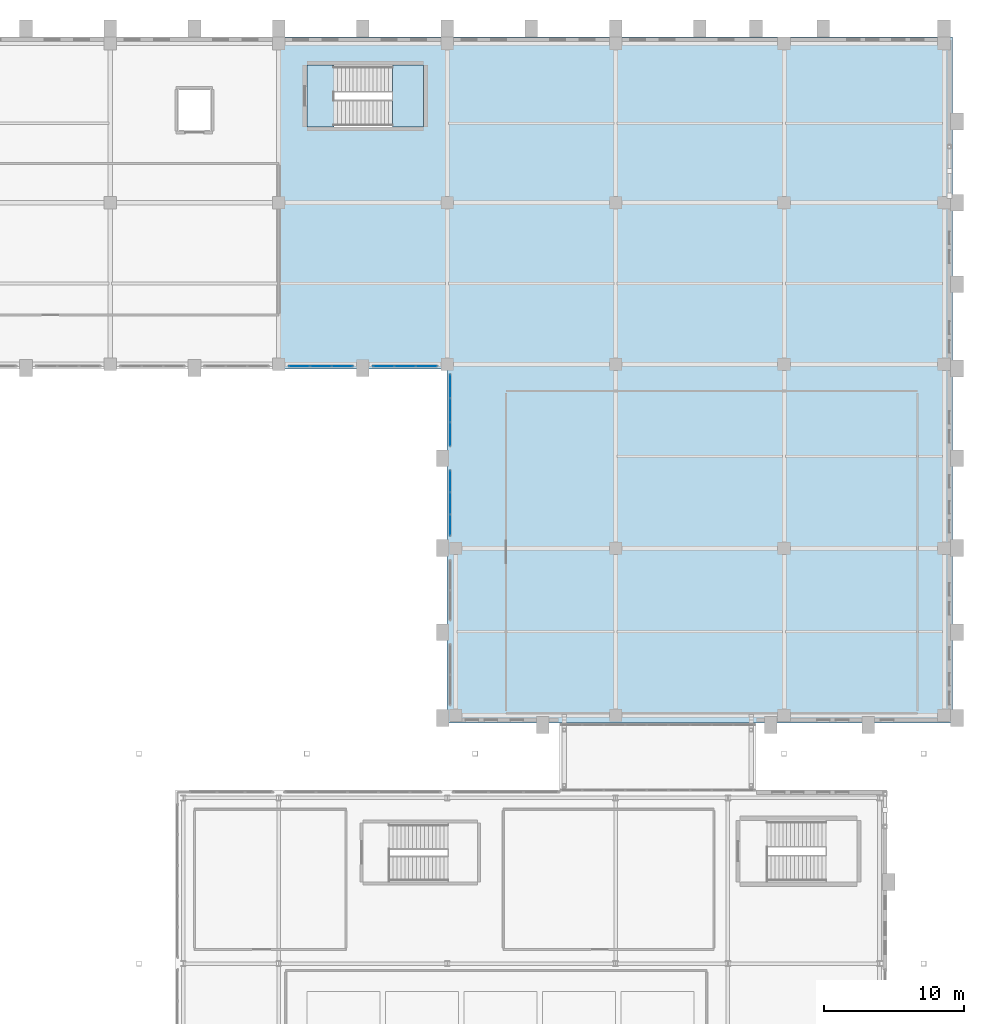
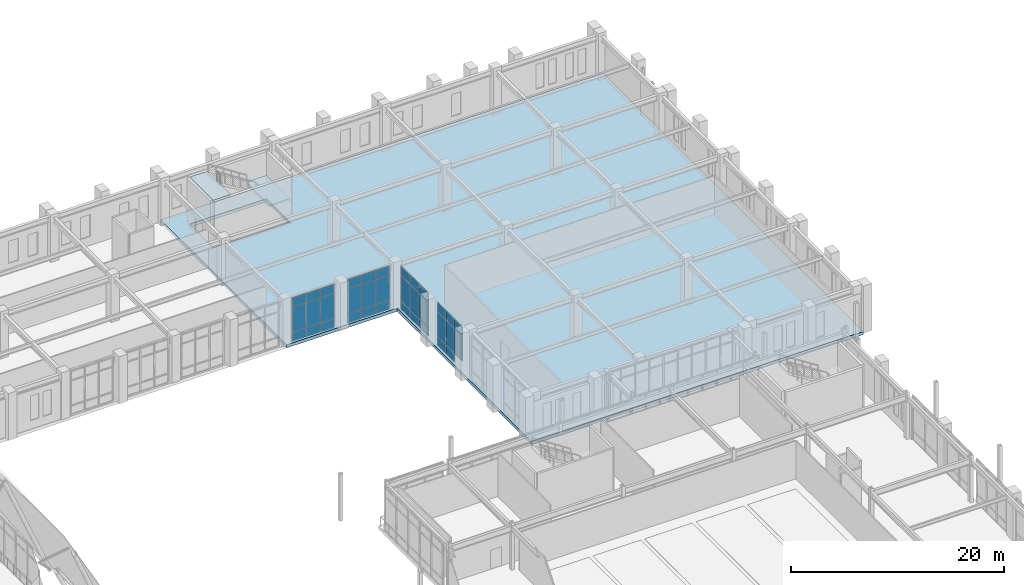
# One storey, part 118 of 159: 35 plates, 3 slabs, 5 elements without a shape of their own.
"""IFC4 building model written with IfcOpenShell, lengths in metres."""

import ifcopenshell
import ifcopenshell.guid

model = None  # the IFC model being written
_history = None  # IfcOwnerHistory: only IFC2X3 demands one
_inside = {}  # id of a spatial element -> (the spatial element, [elements in it])
_under = {}  # id of a project, library or spatial element -> (it, [spatial elements below it])
_declared = {}  # id of a project -> (the project, [libraries it declares])
_typed = {}  # id of a type object -> (the type object, [elements of that type])
_made_of = {}  # id of a material, layer set ... -> (it, [elements and type objects made of it])


def new_model(schema):
    """Start an empty IFC model of exactly this schema.

    Asked for "IFC4X3", IfcOpenShell would pick the latest addendum, in which some entities
    have other attributes; the version numbers below select the first issue.
    IFC2X3 requires an IfcOwnerHistory on every rooted entity: one is made here for all.
    """
    global model, _history
    if schema == "IFC4X3":
        model = ifcopenshell.file(schema_version=(4, 3, 0, 0))
    else:
        model = ifcopenshell.file(schema=schema)
    _inside.clear()
    _under.clear()
    _declared.clear()
    _typed.clear()
    _made_of.clear()
    _history = None
    if model.schema == "IFC2X3":
        org = make("IfcOrganization", Name="unknown")
        user = make(
            "IfcPersonAndOrganization",
            ThePerson=make("IfcPerson", FamilyName="unknown"),
            TheOrganization=org,
        )
        app = make(
            "IfcApplication",
            ApplicationDeveloper=org,
            Version="unknown",
            ApplicationFullName="unknown",
            ApplicationIdentifier="unknown",
        )
        _history = make(
            "IfcOwnerHistory",
            OwningUser=user,
            OwningApplication=app,
            ChangeAction="ADDED",
            CreationDate=0,
        )
    return model


def make(cls, **values):
    """One entity of the class cls with the attributes given. An attribute that is None is left unset."""
    return model.create_entity(
        cls, **{name: value for name, value in values.items() if value is not None}
    )


def rooted(cls, **values):
    """An entity with a GlobalId (a new one), such as an element, a storey or a relation."""
    return make(cls, GlobalId=ifcopenshell.guid.new(), OwnerHistory=_history, **values)


def si_unit(unit_type, name, prefix=None):
    """IfcSIUnit, for example si_unit("LENGTHUNIT", "METRE", prefix="MILLI")."""
    return make("IfcSIUnit", UnitType=unit_type, Prefix=prefix, Name=name)


def derived_unit(unit_type, elements):
    """IfcDerivedUnit: a product of units, each with its exponent."""
    return make(
        "IfcDerivedUnit",
        Elements=[
            make("IfcDerivedUnitElement", Unit=unit, Exponent=power)
            for unit, power in elements
        ],
        UnitType=unit_type,
    )


def assignment(units):
    """IfcUnitAssignment: the units of a project."""
    return None if units is None else make("IfcUnitAssignment", Units=units)


def point(xyz):
    """IfcCartesianPoint."""
    return None if xyz is None else make("IfcCartesianPoint", Coordinates=xyz)


def direction(xyz):
    """IfcDirection."""
    return None if xyz is None else make("IfcDirection", DirectionRatios=xyz)


def frame(location, z_axis=None, x_axis=None):
    """IfcAxis2Placement3D, a coordinate frame: its origin and axes. An axis left out is left unset."""
    return make(
        "IfcAxis2Placement3D",
        Location=point(location),
        Axis=direction(z_axis),
        RefDirection=direction(x_axis),
    )


def frame_2d(location, x_axis=None):
    """IfcAxis2Placement2D, a coordinate frame in the plane: its origin and x axis."""
    return make(
        "IfcAxis2Placement2D", Location=point(location), RefDirection=direction(x_axis)
    )


def origin():
    """The frame at (0, 0, 0) with its axes left unset."""
    return frame((0.0, 0.0, 0.0))


def origin_2d():
    """The frame at (0, 0) in the plane with its x axis left unset."""
    return frame_2d((0.0, 0.0))


def place(relative_to, where):
    """IfcLocalPlacement: puts the frame where relative to a parent placement (None: the world)."""
    return make(
        "IfcLocalPlacement", PlacementRelTo=relative_to, RelativePlacement=where
    )


def context(
    kind, dimensions, precision=None, world=None, true_north=None, identifier=None
):
    """IfcGeometricRepresentationContext, for example the 3D "Model" context."""
    return make(
        "IfcGeometricRepresentationContext",
        ContextIdentifier=identifier,
        ContextType=kind,
        CoordinateSpaceDimension=dimensions,
        Precision=precision,
        WorldCoordinateSystem=world,
        TrueNorth=true_north,
    )


def subcontext(parent, identifier, kind, view, scale=None):
    """IfcGeometricRepresentationSubContext, for example "Body" below "Model"."""
    return make(
        "IfcGeometricRepresentationSubContext",
        ContextIdentifier=identifier,
        ContextType=kind,
        ParentContext=parent,
        TargetScale=scale,
        TargetView=view,
    )


def project(units=None, contexts=None):
    """IfcProject with its units and contexts."""
    return rooted(
        "IfcProject",
        Name="project",
        RepresentationContexts=contexts,
        UnitsInContext=assignment(units),
    )


def spatial(cls, under=None, at=None, **own):
    """A site, building, storey or space (cls), placed at a placement, below another one or the project."""
    s = rooted(cls, ObjectPlacement=at, **own)
    if under is not None:
        _under.setdefault(under.id(), (under, []))[1].append(s)
    return s


def polyline(points):
    """IfcPolyline through the points."""
    return make("IfcPolyline", Points=[point(p) for p in points])


def profile(cls, at=None, kind="AREA", **sizes):
    """A parametric profile (cls). Its sizes go by their IFC names, for example OverallWidth=200.0."""
    return make(cls, ProfileType=kind, Position=at, **sizes)


def rectangle(**sizes):
    """IfcRectangleProfileDef."""
    return profile("IfcRectangleProfileDef", **sizes)


def outline(outer, holes=None, kind="AREA"):
    """IfcArbitraryClosedProfileDef: a profile drawn as a closed curve; with holes, ...WithVoids."""
    if holes is None:
        return make("IfcArbitraryClosedProfileDef", ProfileType=kind, OuterCurve=outer)
    return make(
        "IfcArbitraryProfileDefWithVoids",
        ProfileType=kind,
        OuterCurve=outer,
        InnerCurves=holes,
    )


def extrude(swept, where, along, depth):
    """IfcExtrudedAreaSolid: the profile swept, set in the frame where, extruded along a direction by depth."""
    return make(
        "IfcExtrudedAreaSolid",
        SweptArea=swept,
        Position=where,
        ExtrudedDirection=direction(along),
        Depth=depth,
    )


def shape(context_of_items, identifier, shape_type, items):
    """IfcShapeRepresentation: the items that make up one representation, for example the "Body"."""
    return make(
        "IfcShapeRepresentation",
        ContextOfItems=context_of_items,
        RepresentationIdentifier=identifier,
        RepresentationType=shape_type,
        Items=items,
    )


def material(Name=None, Category=None):
    """IfcMaterial."""
    return make("IfcMaterial", Name=Name, Category=Category)


def layer(
    of_material, thickness, ventilated=None, Name=None, Category=None, Priority=None
):
    """IfcMaterialLayer: one layer of a wall or slab, of a material (None: an air gap)."""
    return make(
        "IfcMaterialLayer",
        Material=of_material,
        LayerThickness=thickness,
        IsVentilated=ventilated,
        Name=Name,
        Category=Category,
        Priority=Priority,
    )


def layer_set(layers, Name=None):
    """IfcMaterialLayerSet."""
    return make("IfcMaterialLayerSet", MaterialLayers=layers, LayerSetName=Name)


def made_of(thing, what):
    """Note that an element or type object is made of a material, layer set ...; save() writes the relation."""
    if what is not None:
        _made_of.setdefault(what.id(), (what, []))[1].append(thing)
    return thing


def type_object(cls, material=None, **own):
    """A type object (cls), such as IfcWallType, which elements share."""
    return made_of(rooted(cls, **own), material)


def element(
    cls,
    number,
    at=None,
    inside=None,
    cuts=None,
    type_object=None,
    material=None,
    context=None,
    identifier="Body",
    shape_type=None,
    held_by="IfcProductDefinitionShape",
    body=None,
    shapes=None,
    **own,
):
    """One element of the class cls, such as IfcWall. Its Tag is "e" and its number.

    at: its placement. inside: the storey or other place that contains it. cuts: it is an
    opening in that element (IfcRelVoidsElement). A single representation is given by context,
    identifier, shape_type and body (its items); several are given by shapes. held_by: the class
    of the entity that holds the representations. save() writes the other relations.
    """
    e = rooted(cls, Tag="e%d" % number, ObjectPlacement=at, **own)
    if body is not None:
        shapes = [shape(context, identifier, shape_type, body)]
    if shapes is not None:
        e.Representation = make(held_by, Representations=shapes)
    if inside is not None:
        _inside.setdefault(inside.id(), (inside, []))[1].append(e)
    if cuts is not None:
        rooted(
            "IfcRelVoidsElement", RelatingBuildingElement=cuts, RelatedOpeningElement=e
        )
    if type_object is not None:
        _typed.setdefault(type_object.id(), (type_object, []))[1].append(e)
    return made_of(e, material)


def aggregate(whole, parts):
    """IfcRelAggregates: a whole, such as a stair, and the parts it consists of."""
    return rooted("IfcRelAggregates", RelatingObject=whole, RelatedObjects=parts)


def save(model, path):
    """Write the relations noted so far, then the file.

    IfcRelAggregates (storeys below a building ...), IfcRelContainedInSpatialStructure (elements
    in a storey), IfcRelDefinesByType, IfcRelAssociatesMaterial and IfcRelDeclares: one each for
    every whole, place, type object, material and project.
    """
    for whole, parts in _under.values():
        aggregate(whole, parts)
    for where, things in _inside.values():
        rooted(
            "IfcRelContainedInSpatialStructure",
            RelatedElements=things,
            RelatingStructure=where,
        )
    for kind, things in _typed.values():
        rooted("IfcRelDefinesByType", RelatedObjects=things, RelatingType=kind)
    for what, things in _made_of.values():
        rooted("IfcRelAssociatesMaterial", RelatedObjects=things, RelatingMaterial=what)
    for by, libraries in _declared.values():
        rooted("IfcRelDeclares", RelatingContext=by, RelatedDefinitions=libraries)
    model.write(path)


model = new_model("IFC4")

# Units and contexts
model_context = context("Model", 3, precision=1e-05, world=origin(), true_north=direction((0.0, 1.0)))
body_context = subcontext(model_context, "Body", "Model", "MODEL_VIEW")
ifc_project = project(units=[si_unit("LENGTHUNIT", "METRE"), si_unit("AREAUNIT", "SQUARE_METRE"), si_unit("VOLUMEUNIT", "CUBIC_METRE"), si_unit("PLANEANGLEUNIT", "RADIAN"), si_unit("MASSUNIT", "GRAM", prefix="KILO"), derived_unit("THERMALTRANSMITTANCEUNIT", [(si_unit("MASSUNIT", "GRAM", prefix="KILO"), 1), (si_unit("TIMEUNIT", "SECOND"), -3), (si_unit("THERMODYNAMICTEMPERATUREUNIT", "KELVIN"), -1)])], contexts=[model_context])

# Site, building, storey
site_placement = place(None, origin())
site = spatial("IfcSite", under=ifc_project, at=site_placement, CompositionType="ELEMENT")
building_placement = place(site_placement, origin())
building = spatial("IfcBuilding", under=site, at=building_placement, Name="Valcora Ridge Arena", CompositionType="ELEMENT")
storey_placement = place(building_placement, frame((0.0, 0.0, 6.0)))
storey = spatial("IfcBuildingStorey", under=building, at=storey_placement, Name="L01", CompositionType="ELEMENT", Elevation=6.0)

# Stair, slabs
ifc_material_1 = material(Name="Concrete C40/50", Category="concrete")
stair_type = type_object("IfcStairType", Name="TY-STAIR-ST10-54", PredefinedType="HALF_TURN_STAIR", material=ifc_material_1)
stair_placement = place(storey_placement, origin())
stair = element("IfcStair", 1, at=stair_placement, inside=storey, type_object=stair_type, Name="ST10-54 STR-CR-0043", PredefinedType="HALF_TURN_STAIR")
ifc_layer_1 = layer(ifc_material_1, 0.199951171875, Name="Concrete C40/50")
ifc_layer_set_1 = layer_set([ifc_layer_1], Name="Concrete C40/50")
slab_type_1 = type_object("IfcSlabType", Name="TY-LAND-ST10-54", PredefinedType="LANDING", material=ifc_layer_set_1)
slab_1_placement = place(storey_placement, frame((0.0, 0.0, 2.5)))
slab_1 = element("IfcSlab", 2, at=slab_1_placement, type_object=slab_type_1, Name="ST10-54 landing 1", PredefinedType="LANDING", context=body_context, shape_type="SweptSolid", body=[
    extrude(outline(polyline([(152.090087890625, 125.60205078125), (154.318115234375, 125.60205078125), (154.318115234375, 129.998046875), (152.090087890625, 129.998046875), (152.090087890625, 125.60205078125)])), origin(), (0.0, 0.0, 1.0), 0.199951171875),
])
slab_2_placement = place(storey_placement, frame((0.0, 0.0, 5.199951171875)))
slab_2 = element("IfcSlab", 3, at=slab_2_placement, type_object=slab_type_1, Name="ST10-54 landing 2", PredefinedType="LANDING", context=body_context, shape_type="SweptSolid", body=[
    extrude(outline(polyline([(146.001953125, 125.60205078125), (147.929931640625, 125.60205078125), (147.929931640625, 129.998046875), (146.001953125, 129.998046875), (146.001953125, 125.60205078125)])), origin(), (0.0, 0.0, 1.0), 0.199951171875),
])
aggregate(stair, [slab_1, slab_2])

# Curtain wall, plates
ifc_material_2 = material(Name="Anodised dark bronze architectural aluminium 6063-T6", Category="aluminium")
ifc_layer_2 = layer(ifc_material_2, 0.14990234375, Name="Anodised dark bronze architectural aluminium 6063-T6")
ifc_layer_set_2 = layer_set([ifc_layer_2], Name="Anodised dark bronze architectural aluminium 6063-T6")
curtain_wall_type_1 = type_object("IfcCurtainWallType", Name="TY-CURTAINWALL-CW-V5-MED-046X50", PredefinedType="NOTDEFINED", material=ifc_layer_set_2)
curtain_wall_1_placement = place(storey_placement, origin())
curtain_wall_1 = element("IfcCurtainWall", 4, at=curtain_wall_1_placement, inside=storey, type_object=curtain_wall_type_1, Name="CW-V5-MED-046X50 CW-0320", PredefinedType="NOTDEFINED")
ifc_material_3 = material(Name="Low-iron solar-control double glazing SHGC 0.28", Category="glass")
ifc_layer_3 = layer(ifc_material_3, 0.028076171875, Name="Low-iron solar-control double glazing SHGC 0.28")
ifc_layer_set_3 = layer_set([ifc_layer_3], Name="Low-iron solar-control double glazing SHGC 0.28")
plate_type_1 = type_object("IfcPlateType", Name="TY-PLT-CWP-1465X0975", PredefinedType="CURTAIN_PANEL", material=ifc_layer_set_3)
plate_1_placement = place(storey_placement, frame((145.472412109375, 108.550048828125, 0.050048828125), z_axis=(0.0, 0.0, 1.0), x_axis=(1.0, 0.0, 0.0)))
plate_1 = element("IfcPlate", 5, at=plate_1_placement, type_object=plate_type_1, Name="CW-0320/P00-00", PredefinedType="CURTAIN_PANEL", context=body_context, shape_type="SweptSolid", body=[
    extrude(rectangle(XDim=1.465087890625, YDim=0.028076171875, at=origin_2d()), origin(), (0.0, 0.0, 1.0), 0.97509765625),
])
plate_2_placement = place(storey_placement, frame((148.527587890625, 108.550048828125, 0.050048828125), z_axis=(0.0, 0.0, 1.0), x_axis=(1.0, 0.0, 0.0)))
plate_2 = element("IfcPlate", 6, at=plate_2_placement, type_object=plate_type_1, Name="CW-0320/P02-00", PredefinedType="CURTAIN_PANEL", context=body_context, shape_type="SweptSolid", body=[
    extrude(rectangle(XDim=1.465087890625, YDim=0.028076171875, at=origin_2d()), origin(), (0.0, 0.0, 1.0), 0.97509765625),
])

curtain_wall_2_placement = place(storey_placement, origin())
curtain_wall_2 = element("IfcCurtainWall", 7, at=curtain_wall_2_placement, inside=storey, type_object=curtain_wall_type_1, Name="CW-V5-MED-046X50 CW-0321", PredefinedType="NOTDEFINED")
plate_3_placement = place(storey_placement, frame((151.472412109375, 108.550048828125, 0.050048828125), z_axis=(0.0, 0.0, 1.0), x_axis=(1.0, 0.0, 0.0)))
plate_3 = element("IfcPlate", 8, at=plate_3_placement, type_object=plate_type_1, Name="CW-0321/P00-00", PredefinedType="CURTAIN_PANEL", context=body_context, shape_type="SweptSolid", body=[
    extrude(rectangle(XDim=1.465087890625, YDim=0.028076171875, at=origin_2d()), origin(), (0.0, 0.0, 1.0), 0.97509765625),
])
plate_4_placement = place(storey_placement, frame((154.527587890625, 108.550048828125, 0.050048828125), z_axis=(0.0, 0.0, 1.0), x_axis=(1.0, 0.0, 0.0)))
plate_4 = element("IfcPlate", 9, at=plate_4_placement, type_object=plate_type_1, Name="CW-0321/P02-00", PredefinedType="CURTAIN_PANEL", context=body_context, shape_type="SweptSolid", body=[
    extrude(rectangle(XDim=1.465087890625, YDim=0.028076171875, at=origin_2d()), origin(), (0.0, 0.0, 1.0), 0.97509765625),
])

# Plate
ifc_layer_4 = layer(ifc_material_3, 0.028076171875, Name="Low-iron solar-control double glazing SHGC 0.28")
ifc_layer_set_4 = layer_set([ifc_layer_4], Name="Low-iron solar-control double glazing SHGC 0.28")
plate_type_2 = type_object("IfcPlateType", Name="TY-PLT-CWP-1465X1025", PredefinedType="CURTAIN_PANEL", material=ifc_layer_set_4)
plate_5_placement = place(storey_placement, frame((145.472412109375, 108.550048828125, 3.965087890625), z_axis=(0.0, 0.0, 1.0), x_axis=(1.0, 0.0, 0.0)))
plate_5 = element("IfcPlate", 10, at=plate_5_placement, type_object=plate_type_2, Name="CW-0320/P00-02", PredefinedType="CURTAIN_PANEL", context=body_context, shape_type="SweptSolid", body=[
    extrude(rectangle(XDim=1.465087890625, YDim=0.028076171875, at=origin_2d()), origin(), (0.0, 0.0, 1.0), 1.02490234375),
])

plate_6_placement = place(storey_placement, frame((148.527587890625, 108.550048828125, 3.965087890625), z_axis=(0.0, 0.0, 1.0), x_axis=(1.0, 0.0, 0.0)))
plate_6 = element("IfcPlate", 11, at=plate_6_placement, type_object=plate_type_2, Name="CW-0320/P02-02", PredefinedType="CURTAIN_PANEL", context=body_context, shape_type="SweptSolid", body=[
    extrude(rectangle(XDim=1.465087890625, YDim=0.028076171875, at=origin_2d()), origin(), (0.0, 0.0, 1.0), 1.02490234375),
])

plate_7_placement = place(storey_placement, frame((151.472412109375, 108.550048828125, 3.965087890625), z_axis=(0.0, 0.0, 1.0), x_axis=(1.0, 0.0, 0.0)))
plate_7 = element("IfcPlate", 12, at=plate_7_placement, type_object=plate_type_2, Name="CW-0321/P00-02", PredefinedType="CURTAIN_PANEL", context=body_context, shape_type="SweptSolid", body=[
    extrude(rectangle(XDim=1.465087890625, YDim=0.028076171875, at=origin_2d()), origin(), (0.0, 0.0, 1.0), 1.02490234375),
])

plate_8_placement = place(storey_placement, frame((154.527587890625, 108.550048828125, 3.965087890625), z_axis=(0.0, 0.0, 1.0), x_axis=(1.0, 0.0, 0.0)))
plate_8 = element("IfcPlate", 13, at=plate_8_placement, type_object=plate_type_2, Name="CW-0321/P02-02", PredefinedType="CURTAIN_PANEL", context=body_context, shape_type="SweptSolid", body=[
    extrude(rectangle(XDim=1.465087890625, YDim=0.028076171875, at=origin_2d()), origin(), (0.0, 0.0, 1.0), 1.02490234375),
])

ifc_layer_5 = layer(ifc_material_3, 0.028076171875, Name="Low-iron solar-control double glazing SHGC 0.28")
ifc_layer_set_5 = layer_set([ifc_layer_5], Name="Low-iron solar-control double glazing SHGC 0.28")
plate_type_3 = type_object("IfcPlateType", Name="TY-PLT-CWP-1465X2840", PredefinedType="CURTAIN_PANEL", material=ifc_layer_set_5)
plate_9_placement = place(storey_placement, frame((145.472412109375, 108.550048828125, 1.0751953125), z_axis=(0.0, 0.0, 1.0), x_axis=(1.0, 0.0, 0.0)))
plate_9 = element("IfcPlate", 14, at=plate_9_placement, type_object=plate_type_3, Name="CW-0320/P00-01", PredefinedType="CURTAIN_PANEL", context=body_context, shape_type="SweptSolid", body=[
    extrude(rectangle(XDim=1.465087890625, YDim=0.028076171875, at=origin_2d()), origin(), (0.0, 0.0, 1.0), 2.840087890625),
])

plate_10_placement = place(storey_placement, frame((148.527587890625, 108.550048828125, 1.0751953125), z_axis=(0.0, 0.0, 1.0), x_axis=(1.0, 0.0, 0.0)))
plate_10 = element("IfcPlate", 15, at=plate_10_placement, type_object=plate_type_3, Name="CW-0320/P02-01", PredefinedType="CURTAIN_PANEL", context=body_context, shape_type="SweptSolid", body=[
    extrude(rectangle(XDim=1.465087890625, YDim=0.028076171875, at=origin_2d()), origin(), (0.0, 0.0, 1.0), 2.840087890625),
])

plate_11_placement = place(storey_placement, frame((151.472412109375, 108.550048828125, 1.0751953125), z_axis=(0.0, 0.0, 1.0), x_axis=(1.0, 0.0, 0.0)))
plate_11 = element("IfcPlate", 16, at=plate_11_placement, type_object=plate_type_3, Name="CW-0321/P00-01", PredefinedType="CURTAIN_PANEL", context=body_context, shape_type="SweptSolid", body=[
    extrude(rectangle(XDim=1.465087890625, YDim=0.028076171875, at=origin_2d()), origin(), (0.0, 0.0, 1.0), 2.840087890625),
])

plate_12_placement = place(storey_placement, frame((154.527587890625, 108.550048828125, 1.0751953125), z_axis=(0.0, 0.0, 1.0), x_axis=(1.0, 0.0, 0.0)))
plate_12 = element("IfcPlate", 17, at=plate_12_placement, type_object=plate_type_3, Name="CW-0321/P02-01", PredefinedType="CURTAIN_PANEL", context=body_context, shape_type="SweptSolid", body=[
    extrude(rectangle(XDim=1.465087890625, YDim=0.028076171875, at=origin_2d()), origin(), (0.0, 0.0, 1.0), 2.840087890625),
])

ifc_layer_6 = layer(ifc_material_3, 0.028076171875, Name="Low-iron solar-control double glazing SHGC 0.28")
ifc_layer_set_6 = layer_set([ifc_layer_6], Name="Low-iron solar-control double glazing SHGC 0.28")
plate_type_4 = type_object("IfcPlateType", Name="TY-PLT-CWP-1490X0975", PredefinedType="CURTAIN_PANEL", material=ifc_layer_set_6)
plate_13_placement = place(storey_placement, frame((147.0, 108.550048828125, 0.050048828125), z_axis=(0.0, 0.0, 1.0), x_axis=(1.0, 0.0, 0.0)))
plate_13 = element("IfcPlate", 18, at=plate_13_placement, type_object=plate_type_4, Name="CW-0320/P01-00", PredefinedType="CURTAIN_PANEL", context=body_context, shape_type="SweptSolid", body=[
    extrude(rectangle(XDim=1.489990234375, YDim=0.028076171875, at=origin_2d()), origin(), (0.0, 0.0, 1.0), 0.97509765625),
])

plate_14_placement = place(storey_placement, frame((153.0, 108.550048828125, 0.050048828125), z_axis=(0.0, 0.0, 1.0), x_axis=(1.0, 0.0, 0.0)))
plate_14 = element("IfcPlate", 19, at=plate_14_placement, type_object=plate_type_4, Name="CW-0321/P01-00", PredefinedType="CURTAIN_PANEL", context=body_context, shape_type="SweptSolid", body=[
    extrude(rectangle(XDim=1.489990234375, YDim=0.028076171875, at=origin_2d()), origin(), (0.0, 0.0, 1.0), 0.97509765625),
])

ifc_layer_7 = layer(ifc_material_3, 0.028076171875, Name="Low-iron solar-control double glazing SHGC 0.28")
ifc_layer_set_7 = layer_set([ifc_layer_7], Name="Low-iron solar-control double glazing SHGC 0.28")
plate_type_5 = type_object("IfcPlateType", Name="TY-PLT-CWP-1490X1025", PredefinedType="CURTAIN_PANEL", material=ifc_layer_set_7)
plate_15_placement = place(storey_placement, frame((147.0, 108.550048828125, 3.965087890625), z_axis=(0.0, 0.0, 1.0), x_axis=(1.0, 0.0, 0.0)))
plate_15 = element("IfcPlate", 20, at=plate_15_placement, type_object=plate_type_5, Name="CW-0320/P01-02", PredefinedType="CURTAIN_PANEL", context=body_context, shape_type="SweptSolid", body=[
    extrude(rectangle(XDim=1.489990234375, YDim=0.028076171875, at=origin_2d()), origin(), (0.0, 0.0, 1.0), 1.02490234375),
])

plate_16_placement = place(storey_placement, frame((153.0, 108.550048828125, 3.965087890625), z_axis=(0.0, 0.0, 1.0), x_axis=(1.0, 0.0, 0.0)))
plate_16 = element("IfcPlate", 21, at=plate_16_placement, type_object=plate_type_5, Name="CW-0321/P01-02", PredefinedType="CURTAIN_PANEL", context=body_context, shape_type="SweptSolid", body=[
    extrude(rectangle(XDim=1.489990234375, YDim=0.028076171875, at=origin_2d()), origin(), (0.0, 0.0, 1.0), 1.02490234375),
])

ifc_layer_8 = layer(ifc_material_3, 0.028076171875, Name="Low-iron solar-control double glazing SHGC 0.28")
ifc_layer_set_8 = layer_set([ifc_layer_8], Name="Low-iron solar-control double glazing SHGC 0.28")
plate_type_6 = type_object("IfcPlateType", Name="TY-PLT-CWP-1490X2840", PredefinedType="CURTAIN_PANEL", material=ifc_layer_set_8)
plate_17_placement = place(storey_placement, frame((147.0, 108.550048828125, 1.0751953125), z_axis=(0.0, 0.0, 1.0), x_axis=(1.0, 0.0, 0.0)))
plate_17 = element("IfcPlate", 22, at=plate_17_placement, type_object=plate_type_6, Name="CW-0320/P01-01", PredefinedType="CURTAIN_PANEL", context=body_context, shape_type="SweptSolid", body=[
    extrude(rectangle(XDim=1.489990234375, YDim=0.028076171875, at=origin_2d()), origin(), (0.0, 0.0, 1.0), 2.840087890625),
])

aggregate(curtain_wall_1, [plate_1, plate_9, plate_5, plate_13, plate_17, plate_15, plate_2, plate_10, plate_6])

plate_18_placement = place(storey_placement, frame((153.0, 108.550048828125, 1.0751953125), z_axis=(0.0, 0.0, 1.0), x_axis=(1.0, 0.0, 0.0)))
plate_18 = element("IfcPlate", 23, at=plate_18_placement, type_object=plate_type_6, Name="CW-0321/P01-01", PredefinedType="CURTAIN_PANEL", context=body_context, shape_type="SweptSolid", body=[
    extrude(rectangle(XDim=1.489990234375, YDim=0.028076171875, at=origin_2d()), origin(), (0.0, 0.0, 1.0), 2.840087890625),
])

aggregate(curtain_wall_2, [plate_3, plate_11, plate_7, plate_14, plate_18, plate_16, plate_4, plate_12, plate_8])

# Curtain wall, plates
ifc_layer_9 = layer(ifc_material_2, 0.14990234375, Name="Anodised dark bronze architectural aluminium 6063-T6")
ifc_layer_set_9 = layer_set([ifc_layer_9], Name="Anodised dark bronze architectural aluminium 6063-T6")
curtain_wall_type_2 = type_object("IfcCurtainWallType", Name="TY-CURTAINWALL-CW-V5-MED-047X50", PredefinedType="NOTDEFINED", material=ifc_layer_set_9)
curtain_wall_3_placement = place(storey_placement, origin())
curtain_wall_3 = element("IfcCurtainWall", 24, at=curtain_wall_3_placement, inside=storey, type_object=curtain_wall_type_2, Name="CW-V5-MED-047X50 CW-0324", PredefinedType="NOTDEFINED")
ifc_layer_10 = layer(ifc_material_3, 0.028076171875, Name="Low-iron solar-control double glazing SHGC 0.28")
ifc_layer_set_10 = layer_set([ifc_layer_10], Name="Low-iron solar-control double glazing SHGC 0.28")
plate_type_7 = type_object("IfcPlateType", Name="TY-PLT-CWP-1498X0975", PredefinedType="CURTAIN_PANEL", material=ifc_layer_set_10)
plate_19_placement = place(storey_placement, frame((156.219970703125, 100.361083984375, 0.050048828125), z_axis=(0.0, 0.0, 1.0), x_axis=(0.0, 1.0, 0.0)))
plate_19 = element("IfcPlate", 25, at=plate_19_placement, type_object=plate_type_7, Name="CW-0324/P02-00", PredefinedType="CURTAIN_PANEL", context=body_context, shape_type="SweptSolid", body=[
    extrude(rectangle(XDim=1.498046875, YDim=0.028076171875, at=origin_2d()), origin(), (0.0, 0.0, 1.0), 0.97509765625),
])
ifc_layer_11 = layer(ifc_material_3, 0.028076171875, Name="Low-iron solar-control double glazing SHGC 0.28")
ifc_layer_set_11 = layer_set([ifc_layer_11], Name="Low-iron solar-control double glazing SHGC 0.28")
plate_type_8 = type_object("IfcPlateType", Name="TY-PLT-CWP-1498X1025", PredefinedType="CURTAIN_PANEL", material=ifc_layer_set_11)
plate_20_placement = place(storey_placement, frame((156.219970703125, 97.239013671875, 3.965087890625), z_axis=(0.0, 0.0, 1.0), x_axis=(0.0, 1.0, 0.0)))
plate_20 = element("IfcPlate", 26, at=plate_20_placement, type_object=plate_type_8, Name="CW-0324/P00-02", PredefinedType="CURTAIN_PANEL", context=body_context, shape_type="SweptSolid", body=[
    extrude(rectangle(XDim=1.498046875, YDim=0.028076171875, at=origin_2d()), origin(), (0.0, 0.0, 1.0), 1.02490234375),
])
plate_21_placement = place(storey_placement, frame((156.219970703125, 100.361083984375, 3.965087890625), z_axis=(0.0, 0.0, 1.0), x_axis=(0.0, 1.0, 0.0)))
plate_21 = element("IfcPlate", 27, at=plate_21_placement, type_object=plate_type_8, Name="CW-0324/P02-02", PredefinedType="CURTAIN_PANEL", context=body_context, shape_type="SweptSolid", body=[
    extrude(rectangle(XDim=1.498046875, YDim=0.028076171875, at=origin_2d()), origin(), (0.0, 0.0, 1.0), 1.02490234375),
])
ifc_layer_12 = layer(ifc_material_3, 0.028076171875, Name="Low-iron solar-control double glazing SHGC 0.28")
ifc_layer_set_12 = layer_set([ifc_layer_12], Name="Low-iron solar-control double glazing SHGC 0.28")
plate_type_9 = type_object("IfcPlateType", Name="TY-PLT-CWP-1498X2840", PredefinedType="CURTAIN_PANEL", material=ifc_layer_set_12)
plate_22_placement = place(storey_placement, frame((156.219970703125, 97.239013671875, 1.0751953125), z_axis=(0.0, 0.0, 1.0), x_axis=(0.0, 1.0, 0.0)))
plate_22 = element("IfcPlate", 28, at=plate_22_placement, type_object=plate_type_9, Name="CW-0324/P00-01", PredefinedType="CURTAIN_PANEL", context=body_context, shape_type="SweptSolid", body=[
    extrude(rectangle(XDim=1.498046875, YDim=0.028076171875, at=origin_2d()), origin(), (0.0, 0.0, 1.0), 2.840087890625),
])
plate_23_placement = place(storey_placement, frame((156.219970703125, 100.361083984375, 1.0751953125), z_axis=(0.0, 0.0, 1.0), x_axis=(0.0, 1.0, 0.0)))
plate_23 = element("IfcPlate", 29, at=plate_23_placement, type_object=plate_type_9, Name="CW-0324/P02-01", PredefinedType="CURTAIN_PANEL", context=body_context, shape_type="SweptSolid", body=[
    extrude(rectangle(XDim=1.498046875, YDim=0.028076171875, at=origin_2d()), origin(), (0.0, 0.0, 1.0), 2.840087890625),
])
ifc_layer_13 = layer(ifc_material_3, 0.028076171875, Name="Low-iron solar-control double glazing SHGC 0.28")
ifc_layer_set_13 = layer_set([ifc_layer_13], Name="Low-iron solar-control double glazing SHGC 0.28")
plate_type_10 = type_object("IfcPlateType", Name="TY-PLT-CWP-1524X0975", PredefinedType="CURTAIN_PANEL", material=ifc_layer_set_13)
plate_24_placement = place(storey_placement, frame((156.219970703125, 98.800048828125, 0.050048828125), z_axis=(0.0, 0.0, 1.0), x_axis=(0.0, 1.0, 0.0)))
plate_24 = element("IfcPlate", 30, at=plate_24_placement, type_object=plate_type_10, Name="CW-0324/P01-00", PredefinedType="CURTAIN_PANEL", context=body_context, shape_type="SweptSolid", body=[
    extrude(rectangle(XDim=1.52392578125, YDim=0.028076171875, at=origin_2d()), origin(), (0.0, 0.0, 1.0), 0.97509765625),
])
ifc_layer_14 = layer(ifc_material_3, 0.028076171875, Name="Low-iron solar-control double glazing SHGC 0.28")
ifc_layer_set_14 = layer_set([ifc_layer_14], Name="Low-iron solar-control double glazing SHGC 0.28")
plate_type_11 = type_object("IfcPlateType", Name="TY-PLT-CWP-1524X1025", PredefinedType="CURTAIN_PANEL", material=ifc_layer_set_14)
plate_25_placement = place(storey_placement, frame((156.219970703125, 98.800048828125, 3.965087890625), z_axis=(0.0, 0.0, 1.0), x_axis=(0.0, 1.0, 0.0)))
plate_25 = element("IfcPlate", 31, at=plate_25_placement, type_object=plate_type_11, Name="CW-0324/P01-02", PredefinedType="CURTAIN_PANEL", context=body_context, shape_type="SweptSolid", body=[
    extrude(rectangle(XDim=1.52392578125, YDim=0.028076171875, at=origin_2d()), origin(), (0.0, 0.0, 1.0), 1.02490234375),
])
ifc_layer_15 = layer(ifc_material_3, 0.028076171875, Name="Low-iron solar-control double glazing SHGC 0.28")
ifc_layer_set_15 = layer_set([ifc_layer_15], Name="Low-iron solar-control double glazing SHGC 0.28")
plate_type_12 = type_object("IfcPlateType", Name="TY-PLT-CWP-1524X2840", PredefinedType="CURTAIN_PANEL", material=ifc_layer_set_15)
plate_26_placement = place(storey_placement, frame((156.219970703125, 98.800048828125, 1.0751953125), z_axis=(0.0, 0.0, 1.0), x_axis=(0.0, 1.0, 0.0)))
plate_26 = element("IfcPlate", 32, at=plate_26_placement, type_object=plate_type_12, Name="CW-0324/P01-01", PredefinedType="CURTAIN_PANEL", context=body_context, shape_type="SweptSolid", body=[
    extrude(rectangle(XDim=1.52392578125, YDim=0.028076171875, at=origin_2d()), origin(), (0.0, 0.0, 1.0), 2.840087890625),
])
aggregate(curtain_wall_3, [plate_22, plate_20, plate_24, plate_26, plate_25, plate_19, plate_23, plate_21])

ifc_layer_16 = layer(ifc_material_2, 0.14990234375, Name="Anodised dark bronze architectural aluminium 6063-T6")
ifc_layer_set_16 = layer_set([ifc_layer_16], Name="Anodised dark bronze architectural aluminium 6063-T6")
curtain_wall_type_3 = type_object("IfcCurtainWallType", Name="TY-CURTAINWALL-CW-V5-MED-052X50", PredefinedType="NOTDEFINED", material=ifc_layer_set_16)
curtain_wall_4_placement = place(storey_placement, origin())
curtain_wall_4 = element("IfcCurtainWall", 33, at=curtain_wall_4_placement, inside=storey, type_object=curtain_wall_type_3, Name="CW-V5-MED-052X50 CW-0325", PredefinedType="NOTDEFINED")
ifc_layer_17 = layer(ifc_material_3, 0.028076171875, Name="Low-iron solar-control double glazing SHGC 0.28")
ifc_layer_set_17 = layer_set([ifc_layer_17], Name="Low-iron solar-control double glazing SHGC 0.28")
plate_type_13 = type_object("IfcPlateType", Name="TY-PLT-CWP-1648X0975", PredefinedType="CURTAIN_PANEL", material=ifc_layer_set_17)
plate_27_placement = place(storey_placement, frame((156.219970703125, 103.714111328125, 0.050048828125), z_axis=(0.0, 0.0, 1.0), x_axis=(0.0, 1.0, 0.0)))
plate_27 = element("IfcPlate", 34, at=plate_27_placement, type_object=plate_type_13, Name="CW-0325/P00-00", PredefinedType="CURTAIN_PANEL", context=body_context, shape_type="SweptSolid", body=[
    extrude(rectangle(XDim=1.64794921875, YDim=0.028076171875, at=origin_2d()), origin(), (0.0, 0.0, 1.0), 0.97509765625),
])
plate_28_placement = place(storey_placement, frame((156.219970703125, 107.135986328125, 0.050048828125), z_axis=(0.0, 0.0, 1.0), x_axis=(0.0, 1.0, 0.0)))
plate_28 = element("IfcPlate", 35, at=plate_28_placement, type_object=plate_type_13, Name="CW-0325/P02-00", PredefinedType="CURTAIN_PANEL", context=body_context, shape_type="SweptSolid", body=[
    extrude(rectangle(XDim=1.64794921875, YDim=0.028076171875, at=origin_2d()), origin(), (0.0, 0.0, 1.0), 0.97509765625),
])
ifc_layer_18 = layer(ifc_material_3, 0.028076171875, Name="Low-iron solar-control double glazing SHGC 0.28")
ifc_layer_set_18 = layer_set([ifc_layer_18], Name="Low-iron solar-control double glazing SHGC 0.28")
plate_type_14 = type_object("IfcPlateType", Name="TY-PLT-CWP-1648X1025", PredefinedType="CURTAIN_PANEL", material=ifc_layer_set_18)
plate_29_placement = place(storey_placement, frame((156.219970703125, 103.714111328125, 3.965087890625), z_axis=(0.0, 0.0, 1.0), x_axis=(0.0, 1.0, 0.0)))
plate_29 = element("IfcPlate", 36, at=plate_29_placement, type_object=plate_type_14, Name="CW-0325/P00-02", PredefinedType="CURTAIN_PANEL", context=body_context, shape_type="SweptSolid", body=[
    extrude(rectangle(XDim=1.64794921875, YDim=0.028076171875, at=origin_2d()), origin(), (0.0, 0.0, 1.0), 1.02490234375),
])
plate_30_placement = place(storey_placement, frame((156.219970703125, 107.135986328125, 3.965087890625), z_axis=(0.0, 0.0, 1.0), x_axis=(0.0, 1.0, 0.0)))
plate_30 = element("IfcPlate", 37, at=plate_30_placement, type_object=plate_type_14, Name="CW-0325/P02-02", PredefinedType="CURTAIN_PANEL", context=body_context, shape_type="SweptSolid", body=[
    extrude(rectangle(XDim=1.64794921875, YDim=0.028076171875, at=origin_2d()), origin(), (0.0, 0.0, 1.0), 1.02490234375),
])
ifc_layer_19 = layer(ifc_material_3, 0.028076171875, Name="Low-iron solar-control double glazing SHGC 0.28")
ifc_layer_set_19 = layer_set([ifc_layer_19], Name="Low-iron solar-control double glazing SHGC 0.28")
plate_type_15 = type_object("IfcPlateType", Name="TY-PLT-CWP-1648X2840", PredefinedType="CURTAIN_PANEL", material=ifc_layer_set_19)
plate_31_placement = place(storey_placement, frame((156.219970703125, 103.714111328125, 1.0751953125), z_axis=(0.0, 0.0, 1.0), x_axis=(0.0, 1.0, 0.0)))
plate_31 = element("IfcPlate", 38, at=plate_31_placement, type_object=plate_type_15, Name="CW-0325/P00-01", PredefinedType="CURTAIN_PANEL", context=body_context, shape_type="SweptSolid", body=[
    extrude(rectangle(XDim=1.64794921875, YDim=0.028076171875, at=origin_2d()), origin(), (0.0, 0.0, 1.0), 2.840087890625),
])
plate_32_placement = place(storey_placement, frame((156.219970703125, 107.135986328125, 1.0751953125), z_axis=(0.0, 0.0, 1.0), x_axis=(0.0, 1.0, 0.0)))
plate_32 = element("IfcPlate", 39, at=plate_32_placement, type_object=plate_type_15, Name="CW-0325/P02-01", PredefinedType="CURTAIN_PANEL", context=body_context, shape_type="SweptSolid", body=[
    extrude(rectangle(XDim=1.64794921875, YDim=0.028076171875, at=origin_2d()), origin(), (0.0, 0.0, 1.0), 2.840087890625),
])
ifc_layer_20 = layer(ifc_material_3, 0.028076171875, Name="Low-iron solar-control double glazing SHGC 0.28")
ifc_layer_set_20 = layer_set([ifc_layer_20], Name="Low-iron solar-control double glazing SHGC 0.28")
plate_type_16 = type_object("IfcPlateType", Name="TY-PLT-CWP-1674X0975", PredefinedType="CURTAIN_PANEL", material=ifc_layer_set_20)
plate_33_placement = place(storey_placement, frame((156.219970703125, 105.425048828125, 0.050048828125), z_axis=(0.0, 0.0, 1.0), x_axis=(0.0, 1.0, 0.0)))
plate_33 = element("IfcPlate", 40, at=plate_33_placement, type_object=plate_type_16, Name="CW-0325/P01-00", PredefinedType="CURTAIN_PANEL", context=body_context, shape_type="SweptSolid", body=[
    extrude(rectangle(XDim=1.674072265625, YDim=0.028076171875, at=origin_2d()), origin(), (0.0, 0.0, 1.0), 0.97509765625),
])
ifc_layer_21 = layer(ifc_material_3, 0.028076171875, Name="Low-iron solar-control double glazing SHGC 0.28")
ifc_layer_set_21 = layer_set([ifc_layer_21], Name="Low-iron solar-control double glazing SHGC 0.28")
plate_type_17 = type_object("IfcPlateType", Name="TY-PLT-CWP-1674X1025", PredefinedType="CURTAIN_PANEL", material=ifc_layer_set_21)
plate_34_placement = place(storey_placement, frame((156.219970703125, 105.425048828125, 3.965087890625), z_axis=(0.0, 0.0, 1.0), x_axis=(0.0, 1.0, 0.0)))
plate_34 = element("IfcPlate", 41, at=plate_34_placement, type_object=plate_type_17, Name="CW-0325/P01-02", PredefinedType="CURTAIN_PANEL", context=body_context, shape_type="SweptSolid", body=[
    extrude(rectangle(XDim=1.674072265625, YDim=0.028076171875, at=origin_2d()), origin(), (0.0, 0.0, 1.0), 1.02490234375),
])
ifc_layer_22 = layer(ifc_material_3, 0.028076171875, Name="Low-iron solar-control double glazing SHGC 0.28")
ifc_layer_set_22 = layer_set([ifc_layer_22], Name="Low-iron solar-control double glazing SHGC 0.28")
plate_type_18 = type_object("IfcPlateType", Name="TY-PLT-CWP-1674X2840", PredefinedType="CURTAIN_PANEL", material=ifc_layer_set_22)
plate_35_placement = place(storey_placement, frame((156.219970703125, 105.425048828125, 1.0751953125), z_axis=(0.0, 0.0, 1.0), x_axis=(0.0, 1.0, 0.0)))
plate_35 = element("IfcPlate", 42, at=plate_35_placement, type_object=plate_type_18, Name="CW-0325/P01-01", PredefinedType="CURTAIN_PANEL", context=body_context, shape_type="SweptSolid", body=[
    extrude(rectangle(XDim=1.674072265625, YDim=0.028076171875, at=origin_2d()), origin(), (0.0, 0.0, 1.0), 2.840087890625),
])
aggregate(curtain_wall_4, [plate_27, plate_31, plate_29, plate_33, plate_35, plate_34, plate_28, plate_32, plate_30])

# Slab
ifc_layer_23 = layer(ifc_material_1, 0.360107421875, Name="Concrete C40/50")
ifc_layer_set_23 = layer_set([ifc_layer_23], Name="Concrete C40/50")
slab_type_2 = type_object("IfcSlabType", Name="TY-SLAB-SL-V5-360-E", PredefinedType="FLOOR", material=ifc_layer_set_23)
slab_3_placement = place(storey_placement, frame((0.0, 0.0, -0.360107421875)))
element("IfcSlab", 43, at=slab_3_placement, inside=storey, type_object=slab_type_2, Name="SL-V5-360-E SLB-0072", PredefinedType="FLOOR", context=body_context, shape_type="SweptSolid", body=[
    extrude(outline(polyline([(156.0, 108.35009765625), (156.0, 83.14990234375), (192.0, 83.14990234375), (192.0, 132.0), (144.0, 132.0), (144.0, 108.35009765625), (156.0, 108.35009765625)]), holes=[polyline([(154.320068359375, 130.0), (146.0, 130.0), (146.0, 125.60009765625), (154.320068359375, 125.60009765625), (154.320068359375, 130.0)])]), origin(), (0.0, 0.0, 1.0), 0.360107421875),
])

save(model, "model.ifc")
